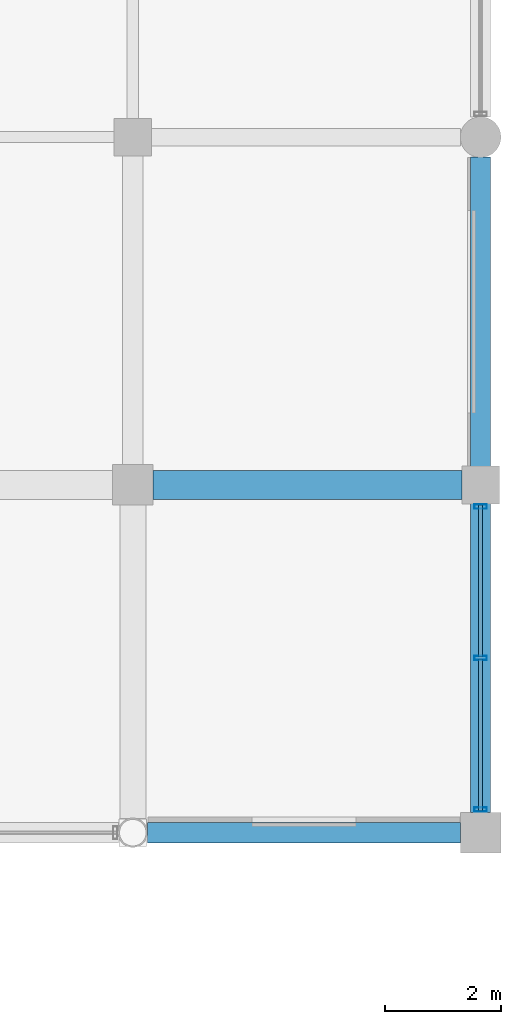
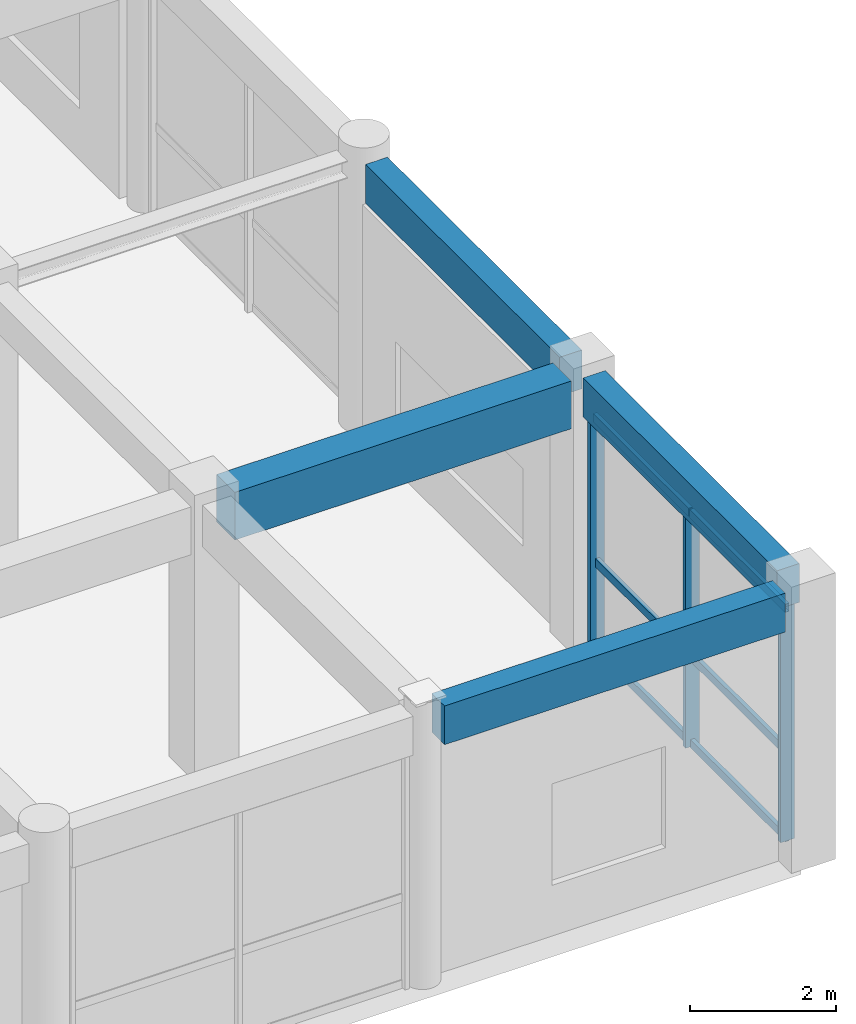
# One storey, part 60 of 112: 9 members, 4 beams, 1 element without a shape of its own.
"""IFC4 building model written with IfcOpenShell, lengths in metres."""

import ifcopenshell
import ifcopenshell.guid

model = None  # the IFC model being written
_history = None  # IfcOwnerHistory: only IFC2X3 demands one
_inside = {}  # id of a spatial element -> (the spatial element, [elements in it])
_under = {}  # id of a project, library or spatial element -> (it, [spatial elements below it])
_declared = {}  # id of a project -> (the project, [libraries it declares])
_typed = {}  # id of a type object -> (the type object, [elements of that type])
_made_of = {}  # id of a material, layer set ... -> (it, [elements and type objects made of it])


def new_model(schema):
    """Start an empty IFC model of exactly this schema.

    Asked for "IFC4X3", IfcOpenShell would pick the latest addendum, in which some entities
    have other attributes; the version numbers below select the first issue.
    IFC2X3 requires an IfcOwnerHistory on every rooted entity: one is made here for all.
    """
    global model, _history
    if schema == "IFC4X3":
        model = ifcopenshell.file(schema_version=(4, 3, 0, 0))
    else:
        model = ifcopenshell.file(schema=schema)
    _inside.clear()
    _under.clear()
    _declared.clear()
    _typed.clear()
    _made_of.clear()
    _history = None
    if model.schema == "IFC2X3":
        org = make("IfcOrganization", Name="unknown")
        user = make(
            "IfcPersonAndOrganization",
            ThePerson=make("IfcPerson", FamilyName="unknown"),
            TheOrganization=org,
        )
        app = make(
            "IfcApplication",
            ApplicationDeveloper=org,
            Version="unknown",
            ApplicationFullName="unknown",
            ApplicationIdentifier="unknown",
        )
        _history = make(
            "IfcOwnerHistory",
            OwningUser=user,
            OwningApplication=app,
            ChangeAction="ADDED",
            CreationDate=0,
        )
    return model


def make(cls, **values):
    """One entity of the class cls with the attributes given. An attribute that is None is left unset."""
    return model.create_entity(
        cls, **{name: value for name, value in values.items() if value is not None}
    )


def rooted(cls, **values):
    """An entity with a GlobalId (a new one), such as an element, a storey or a relation."""
    return make(cls, GlobalId=ifcopenshell.guid.new(), OwnerHistory=_history, **values)


def si_unit(unit_type, name, prefix=None):
    """IfcSIUnit, for example si_unit("LENGTHUNIT", "METRE", prefix="MILLI")."""
    return make("IfcSIUnit", UnitType=unit_type, Prefix=prefix, Name=name)


def assignment(units):
    """IfcUnitAssignment: the units of a project."""
    return None if units is None else make("IfcUnitAssignment", Units=units)


def point(xyz):
    """IfcCartesianPoint."""
    return None if xyz is None else make("IfcCartesianPoint", Coordinates=xyz)


def direction(xyz):
    """IfcDirection."""
    return None if xyz is None else make("IfcDirection", DirectionRatios=xyz)


def frame(location, z_axis=None, x_axis=None):
    """IfcAxis2Placement3D, a coordinate frame: its origin and axes. An axis left out is left unset."""
    return make(
        "IfcAxis2Placement3D",
        Location=point(location),
        Axis=direction(z_axis),
        RefDirection=direction(x_axis),
    )


def frame_2d(location, x_axis=None):
    """IfcAxis2Placement2D, a coordinate frame in the plane: its origin and x axis."""
    return make(
        "IfcAxis2Placement2D", Location=point(location), RefDirection=direction(x_axis)
    )


def origin():
    """The frame at (0, 0, 0) with its axes left unset."""
    return frame((0.0, 0.0, 0.0))


def origin_2d():
    """The frame at (0, 0) in the plane with its x axis left unset."""
    return frame_2d((0.0, 0.0))


def place(relative_to, where):
    """IfcLocalPlacement: puts the frame where relative to a parent placement (None: the world)."""
    return make(
        "IfcLocalPlacement", PlacementRelTo=relative_to, RelativePlacement=where
    )


def context(
    kind, dimensions, precision=None, world=None, true_north=None, identifier=None
):
    """IfcGeometricRepresentationContext, for example the 3D "Model" context."""
    return make(
        "IfcGeometricRepresentationContext",
        ContextIdentifier=identifier,
        ContextType=kind,
        CoordinateSpaceDimension=dimensions,
        Precision=precision,
        WorldCoordinateSystem=world,
        TrueNorth=true_north,
    )


def subcontext(parent, identifier, kind, view, scale=None):
    """IfcGeometricRepresentationSubContext, for example "Body" below "Model"."""
    return make(
        "IfcGeometricRepresentationSubContext",
        ContextIdentifier=identifier,
        ContextType=kind,
        ParentContext=parent,
        TargetScale=scale,
        TargetView=view,
    )


def project(units=None, contexts=None):
    """IfcProject with its units and contexts."""
    return rooted(
        "IfcProject",
        Name="project",
        RepresentationContexts=contexts,
        UnitsInContext=assignment(units),
    )


def spatial(cls, under=None, at=None, **own):
    """A site, building, storey or space (cls), placed at a placement, below another one or the project."""
    s = rooted(cls, ObjectPlacement=at, **own)
    if under is not None:
        _under.setdefault(under.id(), (under, []))[1].append(s)
    return s


def profile(cls, at=None, kind="AREA", **sizes):
    """A parametric profile (cls). Its sizes go by their IFC names, for example OverallWidth=200.0."""
    return make(cls, ProfileType=kind, Position=at, **sizes)


def rectangle(**sizes):
    """IfcRectangleProfileDef."""
    return profile("IfcRectangleProfileDef", **sizes)


def hollow_rectangle(**sizes):
    """IfcRectangleHollowProfileDef."""
    return profile("IfcRectangleHollowProfileDef", **sizes)


def extrude(swept, where, along, depth):
    """IfcExtrudedAreaSolid: the profile swept, set in the frame where, extruded along a direction by depth."""
    return make(
        "IfcExtrudedAreaSolid",
        SweptArea=swept,
        Position=where,
        ExtrudedDirection=direction(along),
        Depth=depth,
    )


def shape(context_of_items, identifier, shape_type, items):
    """IfcShapeRepresentation: the items that make up one representation, for example the "Body"."""
    return make(
        "IfcShapeRepresentation",
        ContextOfItems=context_of_items,
        RepresentationIdentifier=identifier,
        RepresentationType=shape_type,
        Items=items,
    )


def material(Name=None, Category=None):
    """IfcMaterial."""
    return make("IfcMaterial", Name=Name, Category=Category)


def material_profile(
    of_material, cross_section, Name=None, Category=None, Priority=None
):
    """IfcMaterialProfile: a cross section and its material."""
    return make(
        "IfcMaterialProfile",
        Name=Name,
        Material=of_material,
        Profile=cross_section,
        Priority=Priority,
        Category=Category,
    )


def profile_set(profiles, Name=None, composite=None):
    """IfcMaterialProfileSet."""
    return make(
        "IfcMaterialProfileSet",
        Name=Name,
        MaterialProfiles=profiles,
        CompositeProfile=composite,
    )


def made_of(thing, what):
    """Note that an element or type object is made of a material, layer set ...; save() writes the relation."""
    if what is not None:
        _made_of.setdefault(what.id(), (what, []))[1].append(thing)
    return thing


def type_object(cls, material=None, **own):
    """A type object (cls), such as IfcWallType, which elements share."""
    return made_of(rooted(cls, **own), material)


def element(
    cls,
    number,
    at=None,
    inside=None,
    cuts=None,
    type_object=None,
    material=None,
    context=None,
    identifier="Body",
    shape_type=None,
    held_by="IfcProductDefinitionShape",
    body=None,
    shapes=None,
    **own,
):
    """One element of the class cls, such as IfcWall. Its Tag is "e" and its number.

    at: its placement. inside: the storey or other place that contains it. cuts: it is an
    opening in that element (IfcRelVoidsElement). A single representation is given by context,
    identifier, shape_type and body (its items); several are given by shapes. held_by: the class
    of the entity that holds the representations. save() writes the other relations.
    """
    e = rooted(cls, Tag="e%d" % number, ObjectPlacement=at, **own)
    if body is not None:
        shapes = [shape(context, identifier, shape_type, body)]
    if shapes is not None:
        e.Representation = make(held_by, Representations=shapes)
    if inside is not None:
        _inside.setdefault(inside.id(), (inside, []))[1].append(e)
    if cuts is not None:
        rooted(
            "IfcRelVoidsElement", RelatingBuildingElement=cuts, RelatedOpeningElement=e
        )
    if type_object is not None:
        _typed.setdefault(type_object.id(), (type_object, []))[1].append(e)
    return made_of(e, material)


def aggregate(whole, parts):
    """IfcRelAggregates: a whole, such as a stair, and the parts it consists of."""
    return rooted("IfcRelAggregates", RelatingObject=whole, RelatedObjects=parts)


def save(model, path):
    """Write the relations noted so far, then the file.

    IfcRelAggregates (storeys below a building ...), IfcRelContainedInSpatialStructure (elements
    in a storey), IfcRelDefinesByType, IfcRelAssociatesMaterial and IfcRelDeclares: one each for
    every whole, place, type object, material and project.
    """
    for whole, parts in _under.values():
        aggregate(whole, parts)
    for where, things in _inside.values():
        rooted(
            "IfcRelContainedInSpatialStructure",
            RelatedElements=things,
            RelatingStructure=where,
        )
    for kind, things in _typed.values():
        rooted("IfcRelDefinesByType", RelatedObjects=things, RelatingType=kind)
    for what, things in _made_of.values():
        rooted("IfcRelAssociatesMaterial", RelatedObjects=things, RelatingMaterial=what)
    for by, libraries in _declared.values():
        rooted("IfcRelDeclares", RelatingContext=by, RelatedDefinitions=libraries)
    model.write(path)


model = new_model("IFC4")

# Units and contexts
model_context = context("Model", 3, precision=1e-05, world=origin(), true_north=direction((0.0, 1.0)))
body_context = subcontext(model_context, "Body", "Model", "MODEL_VIEW")
ifc_project = project(units=[si_unit("LENGTHUNIT", "METRE"), si_unit("AREAUNIT", "SQUARE_METRE"), si_unit("VOLUMEUNIT", "CUBIC_METRE"), si_unit("PLANEANGLEUNIT", "RADIAN"), si_unit("MASSUNIT", "GRAM", prefix="KILO"), si_unit("THERMODYNAMICTEMPERATUREUNIT", "KELVIN"), si_unit("POWERUNIT", "WATT")], contexts=[model_context])

# Site, building, storey
site_placement = place(None, origin())
site = spatial("IfcSite", under=ifc_project, at=site_placement, CompositionType="ELEMENT")
building_placement = place(site_placement, origin())
building = spatial("IfcBuilding", under=site, at=building_placement, Name="Phaisarnlok Congress Hotel", CompositionType="ELEMENT")
storey_placement = place(building_placement, frame((0.0, 0.0, 19.800048828125)))
storey = spatial("IfcBuildingStorey", under=building, at=storey_placement, Name="L04", CompositionType="ELEMENT", Elevation=19.800048828125)

# Beam
ifc_material_1 = material(Name="Concrete C40/50", Category="concrete")
ifc_material_profile_1 = material_profile(ifc_material_1, rectangle(XDim=0.5, YDim=0.800048828125, at=origin_2d()), Name="RC 500x800")
ifc_profile_set_1 = profile_set([ifc_material_profile_1], Name="Concrete C40/50")
beam_type_1 = type_object("IfcBeamType", Name="BM-RC-500x800", PredefinedType="BEAM", material=ifc_profile_set_1)
beam_1_placement = place(storey_placement, frame((174.344970703125, 42.0, 4.14990234375), z_axis=(1.0, 0.0, 0.0), x_axis=(0.0, 1.0, 0.0)))
element("IfcBeam", 1, at=beam_1_placement, inside=storey, type_object=beam_type_1, Name="Beam B-04", PredefinedType="BEAM", context=body_context, shape_type="SweptSolid", body=[
    extrude(rectangle(XDim=0.5, YDim=0.800048828125, at=origin_2d()), origin(), (0.0, 0.0, 1.0), 5.3349609375),
])

# Curtain wall, members
ifc_material_2 = material(Name="Thermally Broken Unitised Aluminium & Low-E Glazing", Category="aluminium")
curtain_wall_type = type_object("IfcCurtainWallType", Name="CW-UNIT-35", PredefinedType="NOTDEFINED", material=ifc_material_2)
curtain_wall_placement = place(storey_placement, origin())
curtain_wall = element("IfcCurtainWall", 2, at=curtain_wall_placement, inside=storey, type_object=curtain_wall_type, Name="Unitised curtain wall CW-35 (L04)", PredefinedType="NOTDEFINED")
ifc_material_3 = material(Name="Anodised Aluminium Alloy 6063-T6", Category="aluminium")
ifc_material_profile_2 = material_profile(ifc_material_3, hollow_rectangle(XDim=0.074951171875, YDim=0.219970703125, WallThickness=0.0048828125, at=origin_2d()), Name="ALU-M 75x220x5")
ifc_profile_set_2 = profile_set([ifc_material_profile_2], Name="Anodised Aluminium Alloy 6063-T6")
member_type_1 = type_object("IfcMemberType", Name="CWM-220", PredefinedType="MULLION", material=ifc_profile_set_2)
member_1_placement = place(storey_placement, frame((180.0, 36.39990234375, 0.0), z_axis=(0.0, 0.0, 1.0), x_axis=(0.0, 1.0, 0.0)))
member_1 = element("IfcMember", 3, at=member_1_placement, type_object=member_type_1, Name="Curtain wall mullion CWM-02", PredefinedType="MULLION", context=body_context, shape_type="SweptSolid", body=[
    extrude(hollow_rectangle(XDim=0.074951171875, YDim=0.219970703125, WallThickness=0.0048828125, at=origin_2d()), origin(), (0.0, 0.0, 1.0), 3.945068359375),
])
member_2_placement = place(storey_placement, frame((180.0, 39.012451171875, 0.0), z_axis=(0.0, 0.0, 1.0), x_axis=(0.0, 1.0, 0.0)))
member_2 = element("IfcMember", 4, at=member_2_placement, type_object=member_type_1, Name="Curtain wall mullion CWM-02", PredefinedType="MULLION", context=body_context, shape_type="SweptSolid", body=[
    extrude(hollow_rectangle(XDim=0.074951171875, YDim=0.219970703125, WallThickness=0.0048828125, at=origin_2d()), origin(), (0.0, 0.0, 1.0), 3.945068359375),
])
member_3_placement = place(storey_placement, frame((180.0, 41.625, 0.0), z_axis=(0.0, 0.0, 1.0), x_axis=(0.0, 1.0, 0.0)))
member_3 = element("IfcMember", 5, at=member_3_placement, type_object=member_type_1, Name="Curtain wall mullion CWM-02", PredefinedType="MULLION", context=body_context, shape_type="SweptSolid", body=[
    extrude(hollow_rectangle(XDim=0.074951171875, YDim=0.219970703125, WallThickness=0.0048828125, at=origin_2d()), origin(), (0.0, 0.0, 1.0), 3.945068359375),
])
ifc_material_profile_3 = material_profile(ifc_material_3, hollow_rectangle(XDim=0.06494140625, YDim=0.139892578125, WallThickness=0.00390625, at=origin_2d()), Name="ALU-T 65x140x4")
ifc_profile_set_3 = profile_set([ifc_material_profile_3], Name="Anodised Aluminium Alloy 6063-T6")
member_type_2 = type_object("IfcMemberType", Name="CWT-150", PredefinedType="USERDEFINED", material=ifc_profile_set_3)
member_4_placement = place(storey_placement, frame((180.0, 36.375, 0.050048828125), z_axis=(0.0, 1.0, 0.0), x_axis=(-1.0, 0.0, 0.0)))
member_4 = element("IfcMember", 6, at=member_4_placement, type_object=member_type_2, Name="Curtain wall transom CWT-01", ObjectType="TRANSOM", PredefinedType="USERDEFINED", context=body_context, shape_type="SweptSolid", body=[
    extrude(hollow_rectangle(XDim=0.06494140625, YDim=0.139892578125, WallThickness=0.00390625, at=origin_2d()), origin(), (0.0, 0.0, 1.0), 2.62255859375),
])
member_5_placement = place(storey_placement, frame((180.0, 36.375, 1.4990234375), z_axis=(0.0, 1.0, 0.0), x_axis=(-1.0, 0.0, 0.0)))
member_5 = element("IfcMember", 7, at=member_5_placement, type_object=member_type_2, Name="Curtain wall transom CWT-01", ObjectType="TRANSOM", PredefinedType="USERDEFINED", context=body_context, shape_type="SweptSolid", body=[
    extrude(hollow_rectangle(XDim=0.06494140625, YDim=0.139892578125, WallThickness=0.00390625, at=origin_2d()), origin(), (0.0, 0.0, 1.0), 2.62255859375),
])
member_6_placement = place(storey_placement, frame((180.0, 36.375, 3.89501953125), z_axis=(0.0, 1.0, 0.0), x_axis=(-1.0, 0.0, 0.0)))
member_6 = element("IfcMember", 8, at=member_6_placement, type_object=member_type_2, Name="Curtain wall transom CWT-01", ObjectType="TRANSOM", PredefinedType="USERDEFINED", context=body_context, shape_type="SweptSolid", body=[
    extrude(hollow_rectangle(XDim=0.06494140625, YDim=0.139892578125, WallThickness=0.00390625, at=origin_2d()), origin(), (0.0, 0.0, 1.0), 2.62255859375),
])
member_7_placement = place(storey_placement, frame((180.0, 39.027587890625, 0.050048828125), z_axis=(0.0, 1.0, 0.0), x_axis=(-1.0, 0.0, 0.0)))
member_7 = element("IfcMember", 9, at=member_7_placement, type_object=member_type_2, Name="Curtain wall transom CWT-01", ObjectType="TRANSOM", PredefinedType="USERDEFINED", context=body_context, shape_type="SweptSolid", body=[
    extrude(hollow_rectangle(XDim=0.06494140625, YDim=0.139892578125, WallThickness=0.00390625, at=origin_2d()), origin(), (0.0, 0.0, 1.0), 2.622314453125),
])
member_8_placement = place(storey_placement, frame((180.0, 39.027587890625, 1.4990234375), z_axis=(0.0, 1.0, 0.0), x_axis=(-1.0, 0.0, 0.0)))
member_8 = element("IfcMember", 10, at=member_8_placement, type_object=member_type_2, Name="Curtain wall transom CWT-01", ObjectType="TRANSOM", PredefinedType="USERDEFINED", context=body_context, shape_type="SweptSolid", body=[
    extrude(hollow_rectangle(XDim=0.06494140625, YDim=0.139892578125, WallThickness=0.00390625, at=origin_2d()), origin(), (0.0, 0.0, 1.0), 2.622314453125),
])
member_9_placement = place(storey_placement, frame((180.0, 39.027587890625, 3.89501953125), z_axis=(0.0, 1.0, 0.0), x_axis=(-1.0, 0.0, 0.0)))
member_9 = element("IfcMember", 11, at=member_9_placement, type_object=member_type_2, Name="Curtain wall transom CWT-01", ObjectType="TRANSOM", PredefinedType="USERDEFINED", context=body_context, shape_type="SweptSolid", body=[
    extrude(hollow_rectangle(XDim=0.06494140625, YDim=0.139892578125, WallThickness=0.00390625, at=origin_2d()), origin(), (0.0, 0.0, 1.0), 2.622314453125),
])
aggregate(curtain_wall, [member_1, member_2, member_3, member_4, member_5, member_6, member_7, member_8, member_9])

# Beams
ifc_material_profile_4 = material_profile(ifc_material_1, rectangle(XDim=0.35009765625, YDim=0.64990234375, at=origin_2d()), Name="RC 350x650")
ifc_profile_set_4 = profile_set([ifc_material_profile_4], Name="Concrete C40/50")
beam_type_2 = type_object("IfcBeamType", Name="SP-RC-350x650", PredefinedType="SPANDREL", material=ifc_profile_set_4)
beam_2_placement = place(storey_placement, frame((174.2490234375, 36.0, 4.27001953125), z_axis=(1.0, 0.0, 0.0), x_axis=(0.0, 1.0, 0.0)))
element("IfcBeam", 12, at=beam_2_placement, inside=storey, type_object=beam_type_2, Name="Beam SP-01", PredefinedType="SPANDREL", context=body_context, shape_type="SweptSolid", body=[
    extrude(rectangle(XDim=0.35009765625, YDim=0.64990234375, at=origin_2d()), origin(), (0.0, 0.0, 1.0), 5.406005859375),
])
for number, where, z_axis, x_axis, name in (
    (13, (180.0, 36.344970703125, 4.27001953125), (0.0, 1.0, 0.0), (-1.0, 0.0, 0.0), "Beam SP-01"),
    (14, (180.0, 42.320068359375, 4.224853515625), (0.0, 1.0, 0.0), (-1.0, 0.0, 0.0), "Beam SP-01"),
):
    element("IfcBeam", number, at=place(storey_placement, frame(where, z_axis=z_axis, x_axis=x_axis)), inside=storey, type_object=beam_type_2, Name=name, PredefinedType="SPANDREL", context=body_context, shape_type="SweptSolid", body=[
        extrude(rectangle(XDim=0.35009765625, YDim=0.64990234375, at=origin_2d()), origin(), (0.0, 0.0, 1.0), 5.3349609375),
    ])

save(model, "model.ifc")
